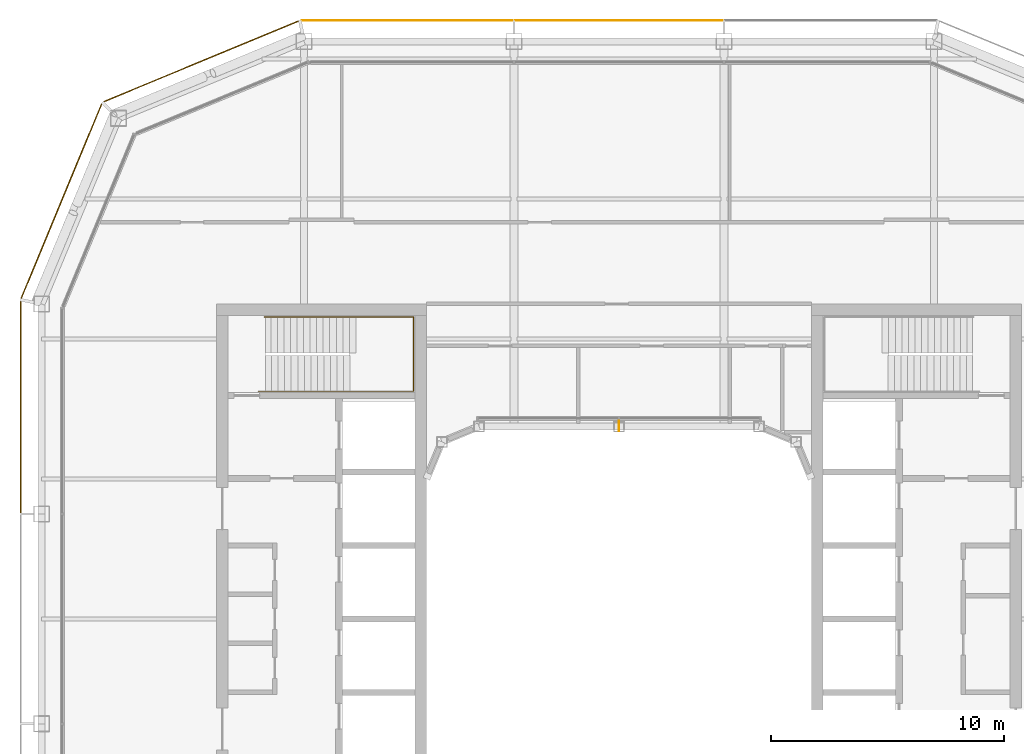
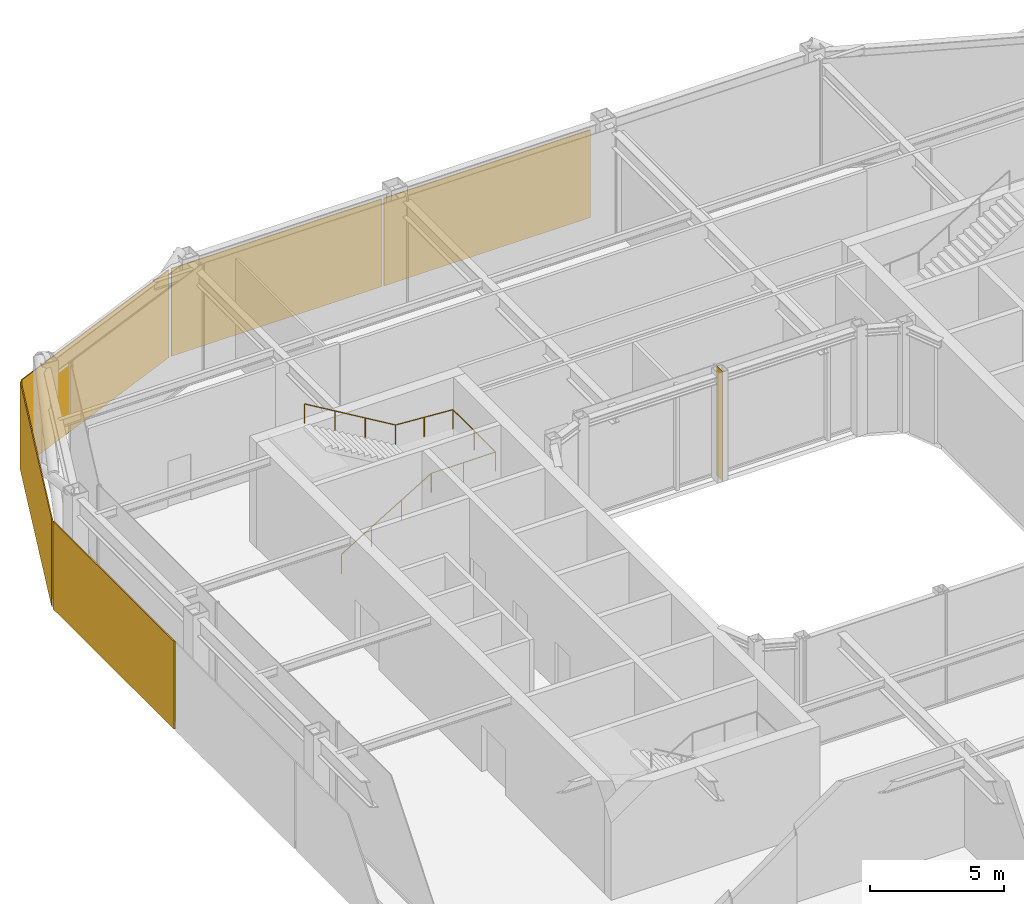
# One storey, part 16 of 17: 5 coverings, 1 railing, 1 shading device.
"""IFC4 building model written with IfcOpenShell, lengths in metres."""

import ifcopenshell
import ifcopenshell.guid

model = None  # the IFC model being written
_history = None  # IfcOwnerHistory: only IFC2X3 demands one
_inside = {}  # id of a spatial element -> (the spatial element, [elements in it])
_under = {}  # id of a project, library or spatial element -> (it, [spatial elements below it])
_declared = {}  # id of a project -> (the project, [libraries it declares])
_typed = {}  # id of a type object -> (the type object, [elements of that type])
_made_of = {}  # id of a material, layer set ... -> (it, [elements and type objects made of it])


def new_model(schema):
    """Start an empty IFC model of exactly this schema.

    Asked for "IFC4X3", IfcOpenShell would pick the latest addendum, in which some entities
    have other attributes; the version numbers below select the first issue.
    IFC2X3 requires an IfcOwnerHistory on every rooted entity: one is made here for all.
    """
    global model, _history
    if schema == "IFC4X3":
        model = ifcopenshell.file(schema_version=(4, 3, 0, 0))
    else:
        model = ifcopenshell.file(schema=schema)
    _inside.clear()
    _under.clear()
    _declared.clear()
    _typed.clear()
    _made_of.clear()
    _history = None
    if model.schema == "IFC2X3":
        org = make("IfcOrganization", Name="unknown")
        user = make(
            "IfcPersonAndOrganization",
            ThePerson=make("IfcPerson", FamilyName="unknown"),
            TheOrganization=org,
        )
        app = make(
            "IfcApplication",
            ApplicationDeveloper=org,
            Version="unknown",
            ApplicationFullName="unknown",
            ApplicationIdentifier="unknown",
        )
        _history = make(
            "IfcOwnerHistory",
            OwningUser=user,
            OwningApplication=app,
            ChangeAction="ADDED",
            CreationDate=0,
        )
    return model


def make(cls, **values):
    """One entity of the class cls with the attributes given. An attribute that is None is left unset."""
    return model.create_entity(
        cls, **{name: value for name, value in values.items() if value is not None}
    )


def rooted(cls, **values):
    """An entity with a GlobalId (a new one), such as an element, a storey or a relation."""
    return make(cls, GlobalId=ifcopenshell.guid.new(), OwnerHistory=_history, **values)


def si_unit(unit_type, name, prefix=None):
    """IfcSIUnit, for example si_unit("LENGTHUNIT", "METRE", prefix="MILLI")."""
    return make("IfcSIUnit", UnitType=unit_type, Prefix=prefix, Name=name)


def assignment(units):
    """IfcUnitAssignment: the units of a project."""
    return None if units is None else make("IfcUnitAssignment", Units=units)


def point(xyz):
    """IfcCartesianPoint."""
    return None if xyz is None else make("IfcCartesianPoint", Coordinates=xyz)


def direction(xyz):
    """IfcDirection."""
    return None if xyz is None else make("IfcDirection", DirectionRatios=xyz)


def frame(location, z_axis=None, x_axis=None):
    """IfcAxis2Placement3D, a coordinate frame: its origin and axes. An axis left out is left unset."""
    return make(
        "IfcAxis2Placement3D",
        Location=point(location),
        Axis=direction(z_axis),
        RefDirection=direction(x_axis),
    )


def frame_2d(location, x_axis=None):
    """IfcAxis2Placement2D, a coordinate frame in the plane: its origin and x axis."""
    return make(
        "IfcAxis2Placement2D", Location=point(location), RefDirection=direction(x_axis)
    )


def origin():
    """The frame at (0, 0, 0) with its axes left unset."""
    return frame((0.0, 0.0, 0.0))


def origin_2d():
    """The frame at (0, 0) in the plane with its x axis left unset."""
    return frame_2d((0.0, 0.0))


def place(relative_to, where):
    """IfcLocalPlacement: puts the frame where relative to a parent placement (None: the world)."""
    return make(
        "IfcLocalPlacement", PlacementRelTo=relative_to, RelativePlacement=where
    )


def context(
    kind, dimensions, precision=None, world=None, true_north=None, identifier=None
):
    """IfcGeometricRepresentationContext, for example the 3D "Model" context."""
    return make(
        "IfcGeometricRepresentationContext",
        ContextIdentifier=identifier,
        ContextType=kind,
        CoordinateSpaceDimension=dimensions,
        Precision=precision,
        WorldCoordinateSystem=world,
        TrueNorth=true_north,
    )


def subcontext(parent, identifier, kind, view, scale=None):
    """IfcGeometricRepresentationSubContext, for example "Body" below "Model"."""
    return make(
        "IfcGeometricRepresentationSubContext",
        ContextIdentifier=identifier,
        ContextType=kind,
        ParentContext=parent,
        TargetScale=scale,
        TargetView=view,
    )


def project(units=None, contexts=None):
    """IfcProject with its units and contexts."""
    return rooted(
        "IfcProject",
        Name="project",
        RepresentationContexts=contexts,
        UnitsInContext=assignment(units),
    )


def spatial(cls, under=None, at=None, **own):
    """A site, building, storey or space (cls), placed at a placement, below another one or the project."""
    s = rooted(cls, ObjectPlacement=at, **own)
    if under is not None:
        _under.setdefault(under.id(), (under, []))[1].append(s)
    return s


def profile(cls, at=None, kind="AREA", **sizes):
    """A parametric profile (cls). Its sizes go by their IFC names, for example OverallWidth=200.0."""
    return make(cls, ProfileType=kind, Position=at, **sizes)


def rectangle(**sizes):
    """IfcRectangleProfileDef."""
    return profile("IfcRectangleProfileDef", **sizes)


def circle(**sizes):
    """IfcCircleProfileDef."""
    return profile("IfcCircleProfileDef", **sizes)


def extrude(swept, where, along, depth):
    """IfcExtrudedAreaSolid: the profile swept, set in the frame where, extruded along a direction by depth."""
    return make(
        "IfcExtrudedAreaSolid",
        SweptArea=swept,
        Position=where,
        ExtrudedDirection=direction(along),
        Depth=depth,
    )


def shape(context_of_items, identifier, shape_type, items):
    """IfcShapeRepresentation: the items that make up one representation, for example the "Body"."""
    return make(
        "IfcShapeRepresentation",
        ContextOfItems=context_of_items,
        RepresentationIdentifier=identifier,
        RepresentationType=shape_type,
        Items=items,
    )


def material(Name=None, Category=None):
    """IfcMaterial."""
    return make("IfcMaterial", Name=Name, Category=Category)


def layer(
    of_material, thickness, ventilated=None, Name=None, Category=None, Priority=None
):
    """IfcMaterialLayer: one layer of a wall or slab, of a material (None: an air gap)."""
    return make(
        "IfcMaterialLayer",
        Material=of_material,
        LayerThickness=thickness,
        IsVentilated=ventilated,
        Name=Name,
        Category=Category,
        Priority=Priority,
    )


def layer_set(layers, Name=None):
    """IfcMaterialLayerSet."""
    return make("IfcMaterialLayerSet", MaterialLayers=layers, LayerSetName=Name)


def made_of(thing, what):
    """Note that an element or type object is made of a material, layer set ...; save() writes the relation."""
    if what is not None:
        _made_of.setdefault(what.id(), (what, []))[1].append(thing)
    return thing


def type_object(cls, material=None, **own):
    """A type object (cls), such as IfcWallType, which elements share."""
    return made_of(rooted(cls, **own), material)


def element(
    cls,
    number,
    at=None,
    inside=None,
    cuts=None,
    type_object=None,
    material=None,
    context=None,
    identifier="Body",
    shape_type=None,
    held_by="IfcProductDefinitionShape",
    body=None,
    shapes=None,
    **own,
):
    """One element of the class cls, such as IfcWall. Its Tag is "e" and its number.

    at: its placement. inside: the storey or other place that contains it. cuts: it is an
    opening in that element (IfcRelVoidsElement). A single representation is given by context,
    identifier, shape_type and body (its items); several are given by shapes. held_by: the class
    of the entity that holds the representations. save() writes the other relations.
    """
    e = rooted(cls, Tag="e%d" % number, ObjectPlacement=at, **own)
    if body is not None:
        shapes = [shape(context, identifier, shape_type, body)]
    if shapes is not None:
        e.Representation = make(held_by, Representations=shapes)
    if inside is not None:
        _inside.setdefault(inside.id(), (inside, []))[1].append(e)
    if cuts is not None:
        rooted(
            "IfcRelVoidsElement", RelatingBuildingElement=cuts, RelatedOpeningElement=e
        )
    if type_object is not None:
        _typed.setdefault(type_object.id(), (type_object, []))[1].append(e)
    return made_of(e, material)


def aggregate(whole, parts):
    """IfcRelAggregates: a whole, such as a stair, and the parts it consists of."""
    return rooted("IfcRelAggregates", RelatingObject=whole, RelatedObjects=parts)


def save(model, path):
    """Write the relations noted so far, then the file.

    IfcRelAggregates (storeys below a building ...), IfcRelContainedInSpatialStructure (elements
    in a storey), IfcRelDefinesByType, IfcRelAssociatesMaterial and IfcRelDeclares: one each for
    every whole, place, type object, material and project.
    """
    for whole, parts in _under.values():
        aggregate(whole, parts)
    for where, things in _inside.values():
        rooted(
            "IfcRelContainedInSpatialStructure",
            RelatedElements=things,
            RelatingStructure=where,
        )
    for kind, things in _typed.values():
        rooted("IfcRelDefinesByType", RelatedObjects=things, RelatingType=kind)
    for what, things in _made_of.values():
        rooted("IfcRelAssociatesMaterial", RelatedObjects=things, RelatingMaterial=what)
    for by, libraries in _declared.values():
        rooted("IfcRelDeclares", RelatingContext=by, RelatedDefinitions=libraries)
    model.write(path)


model = new_model("IFC4")

# Units and contexts
model_context = context("Model", 3, precision=1e-05, world=origin(), true_north=direction((0.0, 1.0)))
body_context = subcontext(model_context, "Body", "Model", "MODEL_VIEW")
ifc_project = project(units=[si_unit("LENGTHUNIT", "METRE"), si_unit("AREAUNIT", "SQUARE_METRE"), si_unit("VOLUMEUNIT", "CUBIC_METRE"), si_unit("PLANEANGLEUNIT", "RADIAN"), si_unit("MASSUNIT", "GRAM", prefix="KILO")], contexts=[model_context])

# Site, building, storey
site_placement = place(None, origin())
site = spatial("IfcSite", under=ifc_project, at=site_placement, CompositionType="ELEMENT")
building_placement = place(site_placement, origin())
building = spatial("IfcBuilding", under=site, at=building_placement, Name="Siwar Civic Tower", CompositionType="ELEMENT")
storey_placement = place(building_placement, frame((0.0, 0.0, 353.199951171875)))
storey = spatial("IfcBuildingStorey", under=building, at=storey_placement, Name="L76", CompositionType="ELEMENT", Elevation=353.199951171875)

# Railing
ifc_material_1 = material(Name="Stainless steel", Category="steel")
railing_type = type_object("IfcRailingType", Name="CORE-STAIR-HANDRAIL", PredefinedType="HANDRAIL", material=ifc_material_1)
railing_placement = place(storey_placement, frame((-15.449951171875, 9.758056640625, 0.166748046875)))
element("IfcRailing", 1, at=railing_placement, inside=storey, type_object=railing_type, Name="Stair handrail ST1", PredefinedType="HANDRAIL", context=body_context, shape_type="SweptSolid", body=[
    extrude(circle(Radius=0.02001953125, at=origin_2d()), frame((0.0, 0.0, 0.8798828125), z_axis=(0.856384976194, 0.0, 0.516337847296), x_axis=(0.0, 1.0, 0.0)), (0.0, 0.0, 1.0), 4.518798828125),
    extrude(circle(Radius=0.02001953125, at=origin_2d()), frame((3.869873046875, 0.0, 3.213134765625), z_axis=(1.0, 0.0, 0.0), x_axis=(0.0, 1.0, 0.0)), (0.0, 0.0, 1.0), 2.77197265625),
    extrude(circle(Radius=0.02001953125, at=origin_2d()), frame((6.641845703125, 0.0, 3.213134765625), z_axis=(0.0, 1.0, 0.0), x_axis=(-1.0, 0.0, 0.0)), (0.0, 0.0, 1.0), 3.183837890625),
    extrude(circle(Radius=0.02001953125, at=origin_2d()), frame((6.641845703125, 3.183837890625, 3.213134765625), z_axis=(-0.997732526271, 0.0, 0.067303833624), x_axis=(0.0, -1.0, 0.0)), (0.0, 0.0, 1.0), 2.4775390625),
    extrude(circle(Radius=0.02001953125, at=origin_2d()), frame((4.169921875, 3.183837890625, 3.3798828125), z_axis=(-0.859296244711, 0.0, 0.511478214419), x_axis=(0.0, -1.0, 0.0)), (0.0, 0.0, 1.0), 4.561767578125),
    extrude(circle(Radius=0.02001953125, at=origin_2d()), origin(), (0.0, 0.0, 1.0), 0.85986328125),
    extrude(circle(Radius=0.02001953125, at=origin_2d()), frame((1.2900390625, 0.0, 0.77783203125)), (0.0, 0.0, 1.0), 0.85986328125),
    extrude(circle(Radius=0.02001953125, at=origin_2d()), frame((2.579833984375, 0.0, 1.555419921875)), (0.0, 0.0, 1.0), 0.85986328125),
    extrude(circle(Radius=0.02001953125, at=origin_2d()), frame((3.869873046875, 0.0, 2.333251953125)), (0.0, 0.0, 1.0), 0.85986328125),
    extrude(circle(Radius=0.02001953125, at=origin_2d()), frame((5.255859375, 0.0, 2.333251953125)), (0.0, 0.0, 1.0), 0.85986328125),
    extrude(circle(Radius=0.02001953125, at=origin_2d()), frame((6.641845703125, 0.0, 2.333251953125)), (0.0, 0.0, 1.0), 0.85986328125),
    extrude(circle(Radius=0.02001953125, at=origin_2d()), frame((6.641845703125, 1.591796875, 2.333251953125)), (0.0, 0.0, 1.0), 0.85986328125),
    extrude(circle(Radius=0.02001953125, at=origin_2d()), frame((6.641845703125, 3.183837890625, 2.333251953125)), (0.0, 0.0, 1.0), 0.85986328125),
    extrude(circle(Radius=0.02001953125, at=origin_2d()), frame((5.40576171875, 3.183837890625, 2.41650390625)), (0.0, 0.0, 1.0), 0.85986328125),
    extrude(circle(Radius=0.02001953125, at=origin_2d()), frame((4.169921875, 3.183837890625, 2.5)), (0.0, 0.0, 1.0), 0.85986328125),
    extrude(circle(Radius=0.02001953125, at=origin_2d()), frame((2.86328125, 3.183837890625, 3.27783203125)), (0.0, 0.0, 1.0), 0.85986328125),
    extrude(circle(Radius=0.02001953125, at=origin_2d()), frame((1.556640625, 3.183837890625, 4.055419921875)), (0.0, 0.0, 1.0), 0.85986328125),
    extrude(circle(Radius=0.02001953125, at=origin_2d()), frame((0.25, 3.183837890625, 4.833251953125)), (0.0, 0.0, 1.0), 0.85986328125),
])

# Shading device
ifc_material_2 = material(Name="Aluminium 6063-T6", Category="aluminium")
ifc_layer_1 = layer(ifc_material_2, 0.02001953125)
ifc_layer_set_1 = layer_set([ifc_layer_1], Name="Aluminium 6063-T6")
shading_device_type = type_object("IfcShadingDeviceType", Name="ENV-FIN", PredefinedType="JALOUSIE", material=ifc_layer_set_1)
shading_device_placement = place(storey_placement, frame((0.0, 8.27001953125, 0.0), z_axis=(0.0, 0.0, 1.0), x_axis=(-1.0, 0.0, 0.0)))
element("IfcShadingDevice", 2, at=shading_device_placement, inside=storey, type_object=shading_device_type, Name="SUNSHADE fin WN 1", PredefinedType="JALOUSIE", context=body_context, shape_type="SweptSolid", body=[
    extrude(rectangle(XDim=0.02001953125, YDim=0.449951171875, at=origin_2d()), origin(), (0.0, 0.0, 1.0), 5.0),
])

# Coverings
ifc_material_3 = material(Name="Perforated aluminium cassette, pale metal", Category="aluminium")
ifc_layer_2 = layer(ifc_material_3, 0.0400390625)
ifc_layer_set_2 = layer_set([ifc_layer_2], Name="Perforated aluminium cassette, pale metal")
covering_type_1 = type_object("IfcCoveringType", Name="ENV-OUTER SKIN OS-1", PredefinedType="CLADDING", material=ifc_layer_set_2)
covering_1_placement = place(storey_placement, frame((0.0, 25.64990234375, -0.199951171875), z_axis=(0.0, 0.0, 1.0), x_axis=(-1.0, 0.0, 0.0)))
element("IfcCovering", 3, at=covering_1_placement, inside=storey, type_object=covering_type_1, Name="OUTER SKIN OS-1 N 2", PredefinedType="CLADDING", context=body_context, shape_type="SweptSolid", body=[
    extrude(rectangle(XDim=8.89990234375, YDim=0.0400390625, at=origin_2d()), origin(), (0.0, 0.0, 1.0), 4.0),
])
covering_2_placement = place(storey_placement, frame((-9.07958984375, 25.64990234375, -0.199951171875), z_axis=(0.0, 0.0, 1.0), x_axis=(-1.0, 0.0, 0.0)))
element("IfcCovering", 4, at=covering_2_placement, inside=storey, type_object=covering_type_1, Name="OUTER SKIN OS-1 N 3", PredefinedType="CLADDING", context=body_context, shape_type="SweptSolid", body=[
    extrude(rectangle(XDim=9.05908203125, YDim=0.0400390625, at=origin_2d()), origin(), (0.0, 0.0, 1.0), 4.0),
])
covering_3_placement = place(storey_placement, frame((-17.911376953125, 23.89697265625, -0.199951171875), z_axis=(0.0, 0.0, 1.0), x_axis=(-0.923879532511, -0.382683432365, 0.0)))
element("IfcCovering", 5, at=covering_3_placement, inside=storey, type_object=covering_type_1, Name="OUTER SKIN OS-1 NW1 1", PredefinedType="CLADDING", context=body_context, shape_type="SweptSolid", body=[
    extrude(rectangle(XDim=9.022216796875, YDim=0.0400390625, at=origin_2d()), origin(), (0.0, 0.0, 1.0), 4.0),
])
ifc_material_4 = material(Name="Perforated aluminium cassette, pale metal", Category="aluminium")
ifc_layer_3 = layer(ifc_material_4, 0.044921875)
ifc_layer_set_3 = layer_set([ifc_layer_3], Name="Perforated aluminium cassette, pale metal")
covering_type_2 = type_object("IfcCoveringType", Name="ENV-OUTER SKIN OS-2", PredefinedType="CLADDING", material=ifc_layer_set_3)
covering_4_placement = place(storey_placement, frame((-23.89697265625, 17.911376953125, -0.199951171875), z_axis=(0.0, 0.0, 1.0), x_axis=(-0.382683432365, -0.923879532511, 0.0)))
element("IfcCovering", 6, at=covering_4_placement, inside=storey, type_object=covering_type_2, Name="OUTER SKIN OS-2 NW2 1", PredefinedType="CLADDING", context=body_context, shape_type="SweptSolid", body=[
    extrude(rectangle(XDim=9.022216796875, YDim=0.044921875, at=origin_2d()), origin(), (0.0, 0.0, 1.0), 4.0),
])
ifc_material_5 = material(Name="Perforated aluminium cassette, pale metal", Category="aluminium")
ifc_layer_4 = layer(ifc_material_5, 0.050048828125)
ifc_layer_set_4 = layer_set([ifc_layer_4], Name="Perforated aluminium cassette, pale metal")
covering_type_3 = type_object("IfcCoveringType", Name="ENV-OUTER SKIN OS-3", PredefinedType="CLADDING", material=ifc_layer_set_4)
covering_5_placement = place(storey_placement, frame((-25.64990234375, 9.07958984375, -0.199951171875), z_axis=(0.0, 0.0, 1.0), x_axis=(0.0, -1.0, 0.0)))
element("IfcCovering", 7, at=covering_5_placement, inside=storey, type_object=covering_type_3, Name="OUTER SKIN OS-3 W 1", PredefinedType="CLADDING", context=body_context, shape_type="SweptSolid", body=[
    extrude(rectangle(XDim=9.05908203125, YDim=0.050048828125, at=origin_2d()), origin(), (0.0, 0.0, 1.0), 4.0),
])

save(model, "model.ifc")
